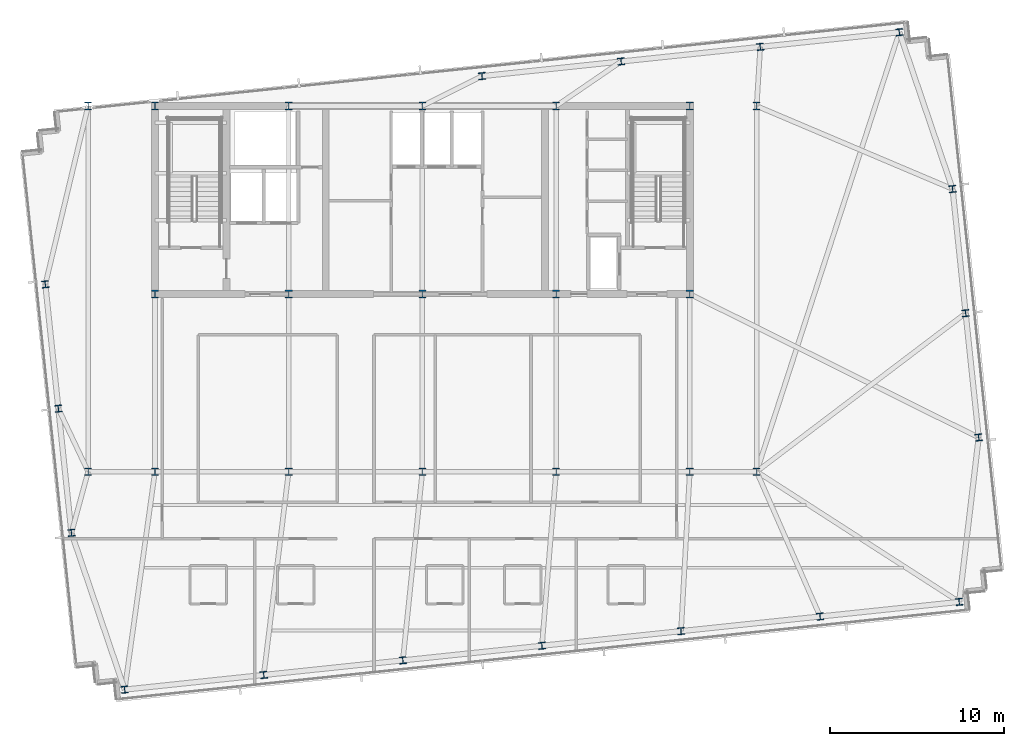
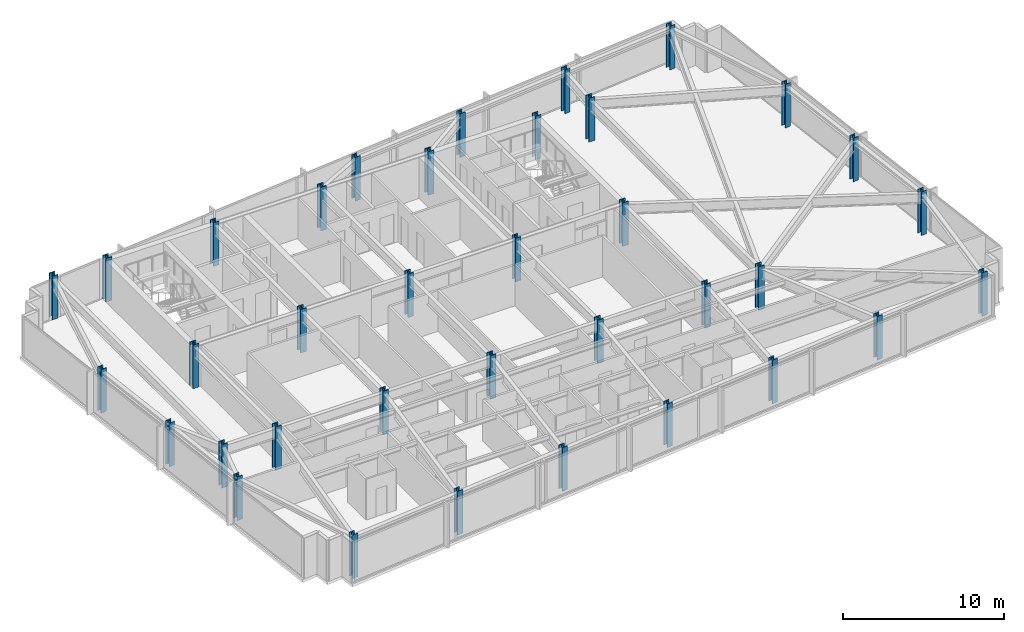
# One storey, part 1 of 33: 36 columns.
"""IFC4 building model written with IfcOpenShell, lengths in metres."""

from ifc_helpers import new_model, si_unit, direction, frame, origin, origin_2d, place, context, subcontext, project, spatial, i_section, extrude, material, material_profile, profile_set, type_object, element, save


model = new_model("IFC4")

# Units and contexts
model_context = context("Model", 3, precision=1e-05, world=origin(), true_north=direction((0.0, 1.0)))
body_context = subcontext(model_context, "Body", "Model", "MODEL_VIEW")
ifc_project = project(units=[si_unit("LENGTHUNIT", "METRE"), si_unit("AREAUNIT", "SQUARE_METRE"), si_unit("VOLUMEUNIT", "CUBIC_METRE"), si_unit("PLANEANGLEUNIT", "RADIAN"), si_unit("MASSUNIT", "GRAM", prefix="KILO")], contexts=[model_context])

# Site, building, storey
site_placement = place(None, origin())
site = spatial("IfcSite", under=ifc_project, at=site_placement, CompositionType="ELEMENT")
building_placement = place(site_placement, origin())
building = spatial("IfcBuilding", under=site, at=building_placement, Name="Yelkora Congress Tower", CompositionType="ELEMENT")
storey_placement = place(building_placement, frame((0.0, 0.0, 230.89990234375)))
storey = spatial("IfcBuildingStorey", under=building, at=storey_placement, Name="L64", CompositionType="ELEMENT", Elevation=230.89990234375)

# Columns
ifc_material_1 = material(Name="Steel S355J2", Category="steel")
ifc_material_profile_1 = material_profile(ifc_material_1, i_section(OverallWidth=0.40087890625, OverallDepth=0.39892578125, WebThickness=0.02490234375, FlangeThickness=0.03955078125, FilletRadius=0.014892578125, at=origin_2d()), Name="HD 400x314")
ifc_profile_set_1 = profile_set([ifc_material_profile_1], Name="Steel S355J2")
column_type_1 = type_object("IfcColumnType", Name="COL-HD-314-EXT", PredefinedType="COLUMN", material=ifc_profile_set_1)
for number, where, z_axis, x_axis, name in (
    (1, (21.299072265625, 12.678466796875, 0.0), (0.0, 0.0, 1.0), (0.994521895368, 0.104528463268, 0.0), "L64 Perimeter Column S01"),
    (2, (29.288330078125, 13.518310546875, 0.0), (0.0, 0.0, 1.0), (0.994521895368, 0.104528463268, 0.0), "L64 Perimeter Column S02"),
    (3, (37.277587890625, 14.35791015625, 0.0), (0.0, 0.0, 1.0), (0.994521895368, 0.104528463268, 0.0), "L64 Perimeter Column S03"),
    (4, (45.26708984375, 15.197509765625, 0.0), (0.0, 0.0, 1.0), (0.994521895368, 0.104528463268, 0.0), "L64 Perimeter Column S04"),
    (5, (53.25634765625, 16.037353515625, 0.0), (0.0, 0.0, 1.0), (0.994521895368, 0.104528463268, 0.0), "L64 Perimeter Column S05"),
    (6, (61.24560546875, 16.877197265625, 0.0), (0.0, 0.0, 1.0), (0.994521895368, 0.104528463268, 0.0), "L64 Perimeter Column S06"),
    (7, (69.235107421875, 17.716796875, 0.0), (0.0, 0.0, 1.0), (0.994521895368, 0.104528463268, 0.0), "L64 Perimeter Column S07"),
    (8, (41.828125, 47.91748046875, 0.0), (0.0, 0.0, 1.0), (0.994521895368, 0.104528463268, 0.0), "L64 Perimeter Column N04"),
    (9, (49.8173828125, 48.757080078125, 0.0), (0.0, 0.0, 1.0), (0.994521895368, 0.104528463268, 0.0), "L64 Perimeter Column N05"),
    (10, (57.806640625, 49.5966796875, 0.0), (0.0, 0.0, 1.0), (0.994521895368, 0.104528463268, 0.0), "L64 Perimeter Column N06"),
    (11, (65.7958984375, 50.4365234375, 0.0), (0.0, 0.0, 1.0), (0.994521895368, 0.104528463268, 0.0), "L64 Perimeter Column N07"),
    (12, (18.2412109375, 21.68310546875, 0.0), (0.0, 0.0, 1.0), (0.994521895368, 0.104528463268, 0.0), "L64 Perimeter Column W01"),
    (13, (70.35400390625, 27.160400390625, 0.0), (0.0, 0.0, 1.0), (0.994521895368, 0.104528463268, 0.0), "L64 Perimeter Column E01"),
    (14, (17.4912109375, 28.81884765625, 0.0), (0.0, 0.0, 1.0), (0.994521895368, 0.104528463268, 0.0), "L64 Perimeter Column W02"),
    (15, (69.60400390625, 34.296142578125, 0.0), (0.0, 0.0, 1.0), (0.994521895368, 0.104528463268, 0.0), "L64 Perimeter Column E02"),
    (16, (16.7412109375, 35.95458984375, 0.0), (0.0, 0.0, 1.0), (0.994521895368, 0.104528463268, 0.0), "L64 Perimeter Column W03"),
    (17, (68.85400390625, 41.431884765625, 0.0), (0.0, 0.0, 1.0), (0.994521895368, 0.104528463268, 0.0), "L64 Perimeter Column E03"),
):
    element("IfcColumn", number, at=place(storey_placement, frame(where, z_axis=z_axis, x_axis=x_axis)), inside=storey, type_object=column_type_1, Name=name, PredefinedType="COLUMN", context=body_context, shape_type="SweptSolid", body=[
        extrude(i_section(OverallWidth=0.40087890625, OverallDepth=0.39892578125, WebThickness=0.02490234375, FlangeThickness=0.03955078125, FilletRadius=0.014892578125, at=origin_2d()), origin(), (0.0, 0.0, 1.0), 3.300048828125),
    ])
ifc_material_2 = material(Name="Steel S460M", Category="steel")
ifc_material_profile_2 = material_profile(ifc_material_2, i_section(OverallWidth=0.412109375, OverallDepth=0.43505859375, WebThickness=0.035888671875, FlangeThickness=0.05810546875, FilletRadius=0.014892578125, at=origin_2d()), Name="HD 400x463")
ifc_profile_set_2 = profile_set([ifc_material_profile_2], Name="Steel S460M")
column_type_2 = type_object("IfcColumnType", Name="COL-HD-463", PredefinedType="COLUMN", material=ifc_profile_set_2)
for number, where, z_axis, x_axis, name in (
    (18, (23.0400390625, 35.39990234375, 0.0), (0.0, 0.0, 1.0), (1.0, 0.0, 0.0), "L64 Mega Column MC-S1"),
    (19, (23.0400390625, 46.199951171875, 0.0), (0.0, 0.0, 1.0), (1.0, 0.0, 0.0), "L64 Mega Column MC-N1"),
    (20, (23.0400390625, 25.199951171875, 0.0), (0.0, 0.0, 1.0), (1.0, 0.0, 0.0), "L64 Mega Column MC-D1"),
    (21, (30.719970703125, 35.39990234375, 0.0), (0.0, 0.0, 1.0), (1.0, 0.0, 0.0), "L64 Mega Column MC-S2"),
    (22, (30.719970703125, 46.199951171875, 0.0), (0.0, 0.0, 1.0), (1.0, 0.0, 0.0), "L64 Mega Column MC-N2"),
    (23, (30.719970703125, 25.199951171875, 0.0), (0.0, 0.0, 1.0), (1.0, 0.0, 0.0), "L64 Mega Column MC-D2"),
    (24, (38.39990234375, 35.39990234375, 0.0), (0.0, 0.0, 1.0), (1.0, 0.0, 0.0), "L64 Mega Column MC-S3"),
    (25, (38.39990234375, 46.199951171875, 0.0), (0.0, 0.0, 1.0), (1.0, 0.0, 0.0), "L64 Mega Column MC-N3"),
    (26, (38.39990234375, 25.199951171875, 0.0), (0.0, 0.0, 1.0), (1.0, 0.0, 0.0), "L64 Mega Column MC-D3"),
    (27, (46.080078125, 35.39990234375, 0.0), (0.0, 0.0, 1.0), (1.0, 0.0, 0.0), "L64 Mega Column MC-S4"),
    (28, (46.080078125, 46.199951171875, 0.0), (0.0, 0.0, 1.0), (1.0, 0.0, 0.0), "L64 Mega Column MC-N4"),
    (29, (46.080078125, 25.199951171875, 0.0), (0.0, 0.0, 1.0), (1.0, 0.0, 0.0), "L64 Mega Column MC-D4"),
    (30, (53.760009765625, 35.39990234375, 0.0), (0.0, 0.0, 1.0), (1.0, 0.0, 0.0), "L64 Mega Column MC-S5"),
    (31, (53.760009765625, 46.199951171875, 0.0), (0.0, 0.0, 1.0), (1.0, 0.0, 0.0), "L64 Mega Column MC-N5"),
    (32, (53.760009765625, 25.199951171875, 0.0), (0.0, 0.0, 1.0), (1.0, 0.0, 0.0), "L64 Mega Column MC-D5"),
    (33, (19.199951171875, 25.199951171875, 0.0), (0.0, 0.0, 1.0), (1.0, 0.0, 0.0), "L64 Mega Column MC-F1"),
    (34, (57.60009765625, 25.199951171875, 0.0), (0.0, 0.0, 1.0), (1.0, 0.0, 0.0), "L64 Mega Column MC-F2"),
    (35, (19.199951171875, 46.199951171875, 0.0), (0.0, 0.0, 1.0), (1.0, 0.0, 0.0), "L64 Mega Column MC-F3"),
    (36, (57.60009765625, 46.199951171875, 0.0), (0.0, 0.0, 1.0), (1.0, 0.0, 0.0), "L64 Mega Column MC-F4"),
):
    element("IfcColumn", number, at=place(storey_placement, frame(where, z_axis=z_axis, x_axis=x_axis)), inside=storey, type_object=column_type_2, Name=name, PredefinedType="COLUMN", context=body_context, shape_type="SweptSolid", body=[
        extrude(i_section(OverallWidth=0.412109375, OverallDepth=0.43505859375, WebThickness=0.035888671875, FlangeThickness=0.05810546875, FilletRadius=0.014892578125, at=origin_2d()), origin(), (0.0, 0.0, 1.0), 3.300048828125),
    ])

save(model, "model.ifc")
